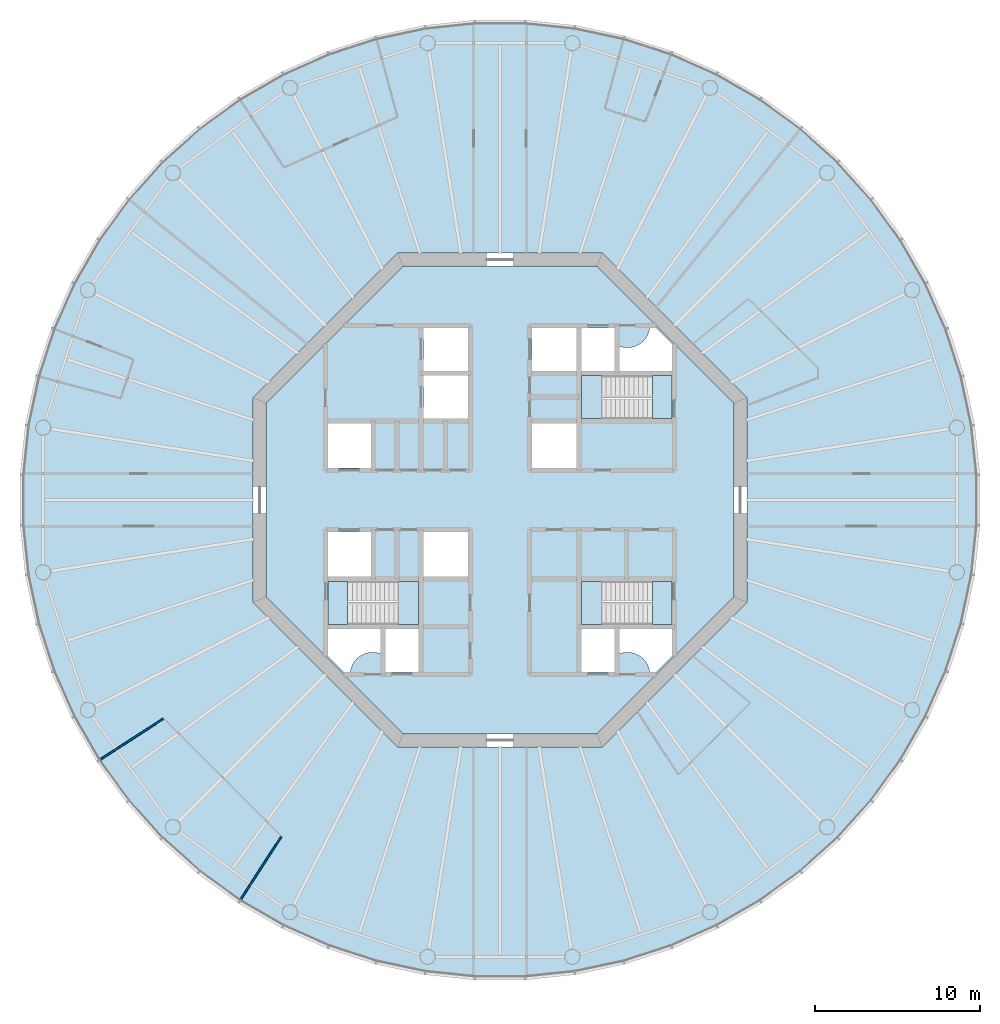
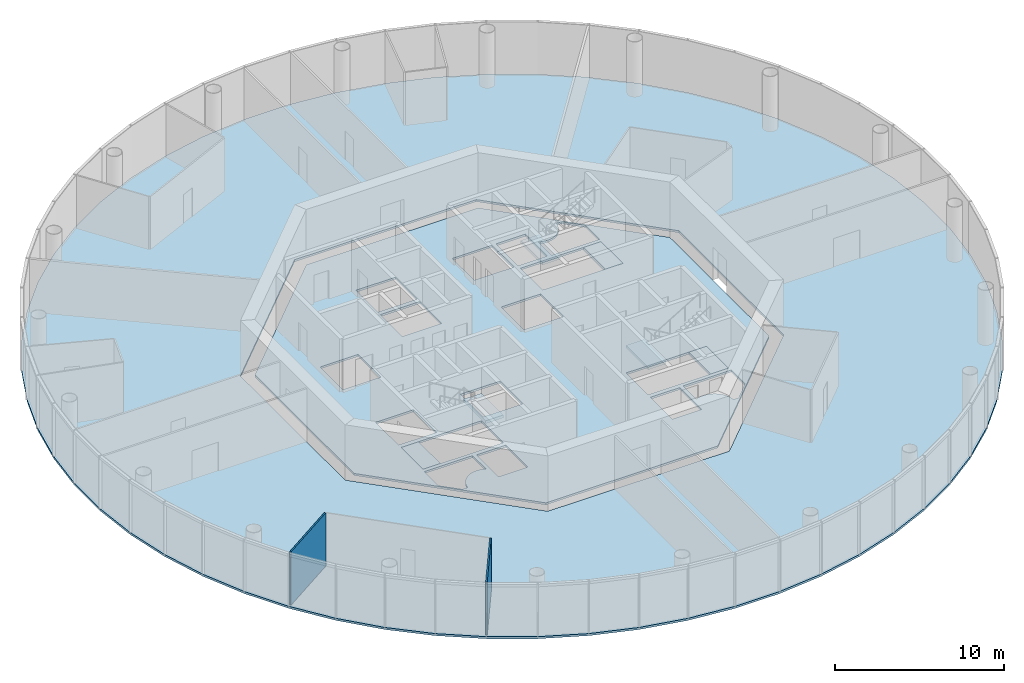
# One storey, part 2 of 13: 8 slabs, 2 walls, 3 elements without a shape of their own.
"""IFC4 building model written with IfcOpenShell, lengths in metres."""

import ifcopenshell
import ifcopenshell.guid

model = None  # the IFC model being written
_history = None  # IfcOwnerHistory: only IFC2X3 demands one
_inside = {}  # id of a spatial element -> (the spatial element, [elements in it])
_under = {}  # id of a project, library or spatial element -> (it, [spatial elements below it])
_declared = {}  # id of a project -> (the project, [libraries it declares])
_typed = {}  # id of a type object -> (the type object, [elements of that type])
_made_of = {}  # id of a material, layer set ... -> (it, [elements and type objects made of it])


def new_model(schema):
    """Start an empty IFC model of exactly this schema.

    Asked for "IFC4X3", IfcOpenShell would pick the latest addendum, in which some entities
    have other attributes; the version numbers below select the first issue.
    IFC2X3 requires an IfcOwnerHistory on every rooted entity: one is made here for all.
    """
    global model, _history
    if schema == "IFC4X3":
        model = ifcopenshell.file(schema_version=(4, 3, 0, 0))
    else:
        model = ifcopenshell.file(schema=schema)
    _inside.clear()
    _under.clear()
    _declared.clear()
    _typed.clear()
    _made_of.clear()
    _history = None
    if model.schema == "IFC2X3":
        org = make("IfcOrganization", Name="unknown")
        user = make(
            "IfcPersonAndOrganization",
            ThePerson=make("IfcPerson", FamilyName="unknown"),
            TheOrganization=org,
        )
        app = make(
            "IfcApplication",
            ApplicationDeveloper=org,
            Version="unknown",
            ApplicationFullName="unknown",
            ApplicationIdentifier="unknown",
        )
        _history = make(
            "IfcOwnerHistory",
            OwningUser=user,
            OwningApplication=app,
            ChangeAction="ADDED",
            CreationDate=0,
        )
    return model


def make(cls, **values):
    """One entity of the class cls with the attributes given. An attribute that is None is left unset."""
    return model.create_entity(
        cls, **{name: value for name, value in values.items() if value is not None}
    )


def rooted(cls, **values):
    """An entity with a GlobalId (a new one), such as an element, a storey or a relation."""
    return make(cls, GlobalId=ifcopenshell.guid.new(), OwnerHistory=_history, **values)


def si_unit(unit_type, name, prefix=None):
    """IfcSIUnit, for example si_unit("LENGTHUNIT", "METRE", prefix="MILLI")."""
    return make("IfcSIUnit", UnitType=unit_type, Prefix=prefix, Name=name)


def assignment(units):
    """IfcUnitAssignment: the units of a project."""
    return None if units is None else make("IfcUnitAssignment", Units=units)


def point(xyz):
    """IfcCartesianPoint."""
    return None if xyz is None else make("IfcCartesianPoint", Coordinates=xyz)


def direction(xyz):
    """IfcDirection."""
    return None if xyz is None else make("IfcDirection", DirectionRatios=xyz)


def frame(location, z_axis=None, x_axis=None):
    """IfcAxis2Placement3D, a coordinate frame: its origin and axes. An axis left out is left unset."""
    return make(
        "IfcAxis2Placement3D",
        Location=point(location),
        Axis=direction(z_axis),
        RefDirection=direction(x_axis),
    )


def frame_2d(location, x_axis=None):
    """IfcAxis2Placement2D, a coordinate frame in the plane: its origin and x axis."""
    return make(
        "IfcAxis2Placement2D", Location=point(location), RefDirection=direction(x_axis)
    )


def origin():
    """The frame at (0, 0, 0) with its axes left unset."""
    return frame((0.0, 0.0, 0.0))


def place(relative_to, where):
    """IfcLocalPlacement: puts the frame where relative to a parent placement (None: the world)."""
    return make(
        "IfcLocalPlacement", PlacementRelTo=relative_to, RelativePlacement=where
    )


def context(
    kind, dimensions, precision=None, world=None, true_north=None, identifier=None
):
    """IfcGeometricRepresentationContext, for example the 3D "Model" context."""
    return make(
        "IfcGeometricRepresentationContext",
        ContextIdentifier=identifier,
        ContextType=kind,
        CoordinateSpaceDimension=dimensions,
        Precision=precision,
        WorldCoordinateSystem=world,
        TrueNorth=true_north,
    )


def subcontext(parent, identifier, kind, view, scale=None):
    """IfcGeometricRepresentationSubContext, for example "Body" below "Model"."""
    return make(
        "IfcGeometricRepresentationSubContext",
        ContextIdentifier=identifier,
        ContextType=kind,
        ParentContext=parent,
        TargetScale=scale,
        TargetView=view,
    )


def project(units=None, contexts=None):
    """IfcProject with its units and contexts."""
    return rooted(
        "IfcProject",
        Name="project",
        RepresentationContexts=contexts,
        UnitsInContext=assignment(units),
    )


def spatial(cls, under=None, at=None, **own):
    """A site, building, storey or space (cls), placed at a placement, below another one or the project."""
    s = rooted(cls, ObjectPlacement=at, **own)
    if under is not None:
        _under.setdefault(under.id(), (under, []))[1].append(s)
    return s


def polyline(points):
    """IfcPolyline through the points."""
    return make("IfcPolyline", Points=[point(p) for p in points])


def profile(cls, at=None, kind="AREA", **sizes):
    """A parametric profile (cls). Its sizes go by their IFC names, for example OverallWidth=200.0."""
    return make(cls, ProfileType=kind, Position=at, **sizes)


def rectangle(**sizes):
    """IfcRectangleProfileDef."""
    return profile("IfcRectangleProfileDef", **sizes)


def outline(outer, holes=None, kind="AREA"):
    """IfcArbitraryClosedProfileDef: a profile drawn as a closed curve; with holes, ...WithVoids."""
    if holes is None:
        return make("IfcArbitraryClosedProfileDef", ProfileType=kind, OuterCurve=outer)
    return make(
        "IfcArbitraryProfileDefWithVoids",
        ProfileType=kind,
        OuterCurve=outer,
        InnerCurves=holes,
    )


def extrude(swept, where, along, depth):
    """IfcExtrudedAreaSolid: the profile swept, set in the frame where, extruded along a direction by depth."""
    return make(
        "IfcExtrudedAreaSolid",
        SweptArea=swept,
        Position=where,
        ExtrudedDirection=direction(along),
        Depth=depth,
    )


def shape(context_of_items, identifier, shape_type, items):
    """IfcShapeRepresentation: the items that make up one representation, for example the "Body"."""
    return make(
        "IfcShapeRepresentation",
        ContextOfItems=context_of_items,
        RepresentationIdentifier=identifier,
        RepresentationType=shape_type,
        Items=items,
    )


def material(Name=None, Category=None):
    """IfcMaterial."""
    return make("IfcMaterial", Name=Name, Category=Category)


def layer(
    of_material, thickness, ventilated=None, Name=None, Category=None, Priority=None
):
    """IfcMaterialLayer: one layer of a wall or slab, of a material (None: an air gap)."""
    return make(
        "IfcMaterialLayer",
        Material=of_material,
        LayerThickness=thickness,
        IsVentilated=ventilated,
        Name=Name,
        Category=Category,
        Priority=Priority,
    )


def layer_set(layers, Name=None):
    """IfcMaterialLayerSet."""
    return make("IfcMaterialLayerSet", MaterialLayers=layers, LayerSetName=Name)


def made_of(thing, what):
    """Note that an element or type object is made of a material, layer set ...; save() writes the relation."""
    if what is not None:
        _made_of.setdefault(what.id(), (what, []))[1].append(thing)
    return thing


def type_object(cls, material=None, **own):
    """A type object (cls), such as IfcWallType, which elements share."""
    return made_of(rooted(cls, **own), material)


def element(
    cls,
    number,
    at=None,
    inside=None,
    cuts=None,
    type_object=None,
    material=None,
    context=None,
    identifier="Body",
    shape_type=None,
    held_by="IfcProductDefinitionShape",
    body=None,
    shapes=None,
    **own,
):
    """One element of the class cls, such as IfcWall. Its Tag is "e" and its number.

    at: its placement. inside: the storey or other place that contains it. cuts: it is an
    opening in that element (IfcRelVoidsElement). A single representation is given by context,
    identifier, shape_type and body (its items); several are given by shapes. held_by: the class
    of the entity that holds the representations. save() writes the other relations.
    """
    e = rooted(cls, Tag="e%d" % number, ObjectPlacement=at, **own)
    if body is not None:
        shapes = [shape(context, identifier, shape_type, body)]
    if shapes is not None:
        e.Representation = make(held_by, Representations=shapes)
    if inside is not None:
        _inside.setdefault(inside.id(), (inside, []))[1].append(e)
    if cuts is not None:
        rooted(
            "IfcRelVoidsElement", RelatingBuildingElement=cuts, RelatedOpeningElement=e
        )
    if type_object is not None:
        _typed.setdefault(type_object.id(), (type_object, []))[1].append(e)
    return made_of(e, material)


def aggregate(whole, parts):
    """IfcRelAggregates: a whole, such as a stair, and the parts it consists of."""
    return rooted("IfcRelAggregates", RelatingObject=whole, RelatedObjects=parts)


def save(model, path):
    """Write the relations noted so far, then the file.

    IfcRelAggregates (storeys below a building ...), IfcRelContainedInSpatialStructure (elements
    in a storey), IfcRelDefinesByType, IfcRelAssociatesMaterial and IfcRelDeclares: one each for
    every whole, place, type object, material and project.
    """
    for whole, parts in _under.values():
        aggregate(whole, parts)
    for where, things in _inside.values():
        rooted(
            "IfcRelContainedInSpatialStructure",
            RelatedElements=things,
            RelatingStructure=where,
        )
    for kind, things in _typed.values():
        rooted("IfcRelDefinesByType", RelatedObjects=things, RelatingType=kind)
    for what, things in _made_of.values():
        rooted("IfcRelAssociatesMaterial", RelatedObjects=things, RelatingMaterial=what)
    for by, libraries in _declared.values():
        rooted("IfcRelDeclares", RelatingContext=by, RelatedDefinitions=libraries)
    model.write(path)


model = new_model("IFC4")

# Units and contexts
model_context = context("Model", 3, precision=1e-05, world=origin(), true_north=direction((0.0, 1.0)))
body_context = subcontext(model_context, "Body", "Model", "MODEL_VIEW")
ifc_project = project(units=[si_unit("LENGTHUNIT", "METRE"), si_unit("AREAUNIT", "SQUARE_METRE"), si_unit("VOLUMEUNIT", "CUBIC_METRE"), si_unit("PLANEANGLEUNIT", "RADIAN"), si_unit("MASSUNIT", "GRAM", prefix="KILO")], contexts=[model_context])

# Site, building, storey
site_placement = place(None, origin())
site = spatial("IfcSite", under=ifc_project, at=site_placement, CompositionType="ELEMENT")
building_placement = place(site_placement, origin())
building = spatial("IfcBuilding", under=site, at=building_placement, Name="Entoto Ring Tower", CompositionType="ELEMENT")
storey_placement = place(building_placement, frame((0.0, 0.0, 278.0)))
storey = spatial("IfcBuildingStorey", under=building, at=storey_placement, Name="L63", CompositionType="ELEMENT", Elevation=278.0)

# Slabs
ifc_material_1 = material(Name="Concrete C30/37", Category="concrete")
ifc_layer_1 = layer(ifc_material_1, 0.14990234375)
ifc_layer_set_1 = layer_set([ifc_layer_1], Name="Concrete C30/37")
slab_type_1 = type_object("IfcSlabType", Name="Composite floor slab 150 mm", PredefinedType="FLOOR", material=ifc_layer_set_1)
slab_1_placement = place(storey_placement, frame((0.0, 0.0, -0.14990234375)))
element("IfcSlab", 1, at=slab_1_placement, inside=storey, type_object=slab_type_1, Name="Floor slab L63", PredefinedType="FLOOR", context=body_context, shape_type="SweptSolid", body=[
    extrude(outline(polyline([(118.74169921875, 84.55224609375), (118.1083984375, 87.53173828125), (117.167236328125, 90.428466796875), (115.92822265625, 93.211181640625), (114.4052734375, 95.848876953125), (112.614990234375, 98.313232421875), (110.576904296875, 100.576904296875), (108.313232421875, 102.614990234375), (105.848876953125, 104.4052734375), (103.211181640625, 105.92822265625), (100.428466796875, 107.167236328125), (97.53173828125, 108.1083984375), (94.55224609375, 108.74169921875), (91.52294921875, 109.06005859375), (88.47705078125, 109.06005859375), (85.44775390625, 108.74169921875), (82.46826171875, 108.1083984375), (79.571533203125, 107.167236328125), (76.788818359375, 105.92822265625), (74.151123046875, 104.4052734375), (71.686767578125, 102.614990234375), (69.423095703125, 100.576904296875), (67.385009765625, 98.313232421875), (65.5947265625, 95.848876953125), (64.07177734375, 93.211181640625), (62.832763671875, 90.428466796875), (61.8916015625, 87.53173828125), (61.25830078125, 84.55224609375), (60.93994140625, 81.52294921875), (60.93994140625, 78.47705078125), (61.25830078125, 75.44775390625), (61.8916015625, 72.46826171875), (62.832763671875, 69.571533203125), (64.07177734375, 66.788818359375), (65.5947265625, 64.151123046875), (67.385009765625, 61.686767578125), (69.423095703125, 59.423095703125), (71.686767578125, 57.385009765625), (74.151123046875, 55.5947265625), (76.788818359375, 54.07177734375), (79.571533203125, 52.832763671875), (82.46826171875, 51.8916015625), (85.44775390625, 51.25830078125), (88.47705078125, 50.93994140625), (91.52294921875, 50.93994140625), (94.55224609375, 51.25830078125), (97.53173828125, 51.8916015625), (100.428466796875, 52.832763671875), (103.211181640625, 54.07177734375), (105.848876953125, 55.5947265625), (108.313232421875, 57.385009765625), (110.576904296875, 59.423095703125), (112.614990234375, 61.686767578125), (114.4052734375, 64.151123046875), (115.92822265625, 66.788818359375), (117.167236328125, 69.571533203125), (118.1083984375, 72.46826171875), (118.74169921875, 75.44775390625), (119.06005859375, 78.47705078125), (119.06005859375, 81.52294921875), (118.74169921875, 84.55224609375)]), holes=[polyline([(105.0, 73.786865234375), (105.0, 86.213134765625), (96.213134765625, 95.0), (83.786865234375, 95.0), (75.0, 86.213134765625), (75.0, 73.786865234375), (83.786865234375, 65.0), (96.213134765625, 65.0), (105.0, 73.786865234375)])]), origin(), (0.0, 0.0, 1.0), 0.14990234375),
])
ifc_material_2 = material(Name="Concrete C40/50", Category="concrete")
ifc_layer_2 = layer(ifc_material_2, 0.14990234375)
ifc_layer_set_2 = layer_set([ifc_layer_2], Name="Concrete C40/50")
slab_type_2 = type_object("IfcSlabType", Name="Core floor slab 150 mm reinforced concrete C40/50", PredefinedType="FLOOR", material=ifc_layer_set_2)
slab_2_placement = place(storey_placement, frame((0.0, 0.0, -0.14990234375)))
element("IfcSlab", 2, at=slab_2_placement, inside=storey, type_object=slab_type_2, Name="Core floor L63", PredefinedType="FLOOR", context=body_context, shape_type="SweptSolid", body=[
    extrude(outline(polyline([(104.199951171875, 74.1181640625), (104.199951171875, 85.8818359375), (95.8818359375, 94.199951171875), (84.1181640625, 94.199951171875), (75.800048828125, 85.8818359375), (75.800048828125, 74.1181640625), (84.1181640625, 65.800048828125), (95.8818359375, 65.800048828125), (104.199951171875, 74.1181640625)]), holes=[polyline([(100.449951171875, 84.949951171875), (100.449951171875, 87.550048828125), (94.949951171875, 87.550048828125), (94.949951171875, 84.949951171875), (100.449951171875, 84.949951171875)]), polyline([(85.050048828125, 72.449951171875), (85.050048828125, 75.050048828125), (79.550048828125, 75.050048828125), (79.550048828125, 72.449951171875), (85.050048828125, 72.449951171875)]), polyline([(100.449951171875, 72.449951171875), (100.449951171875, 75.050048828125), (94.949951171875, 75.050048828125), (94.949951171875, 72.449951171875), (100.449951171875, 72.449951171875)]), polyline([(94.949951171875, 90.449951171875), (94.949951171875, 87.85009765625), (96.949951171875, 87.85009765625), (96.949951171875, 90.449951171875), (94.949951171875, 90.449951171875)]), polyline([(94.949951171875, 72.14990234375), (94.949951171875, 69.550048828125), (96.949951171875, 69.550048828125), (96.949951171875, 72.14990234375), (94.949951171875, 72.14990234375)]), polyline([(83.050048828125, 72.14990234375), (83.050048828125, 69.550048828125), (85.050048828125, 69.550048828125), (85.050048828125, 72.14990234375), (83.050048828125, 72.14990234375)]), polyline([(79.550048828125, 81.949951171875), (82.14990234375, 81.949951171875), (82.14990234375, 84.64990234375), (79.550048828125, 84.64990234375), (79.550048828125, 81.949951171875)]), polyline([(79.550048828125, 75.35009765625), (82.14990234375, 75.35009765625), (82.14990234375, 78.050048828125), (79.550048828125, 78.050048828125), (79.550048828125, 75.35009765625)]), polyline([(91.949951171875, 87.85009765625), (94.64990234375, 87.85009765625), (94.64990234375, 90.449951171875), (91.949951171875, 90.449951171875), (91.949951171875, 87.85009765625)]), polyline([(91.949951171875, 81.949951171875), (94.64990234375, 81.949951171875), (94.64990234375, 84.64990234375), (91.949951171875, 84.64990234375), (91.949951171875, 81.949951171875)]), polyline([(85.35009765625, 75.35009765625), (88.050048828125, 75.35009765625), (88.050048828125, 78.050048828125), (85.35009765625, 78.050048828125), (85.35009765625, 75.35009765625)]), polyline([(85.35009765625, 84.949951171875), (88.050048828125, 84.949951171875), (88.050048828125, 87.550048828125), (85.35009765625, 87.550048828125), (85.35009765625, 84.949951171875)]), polyline([(85.35009765625, 87.85009765625), (88.050048828125, 87.85009765625), (88.050048828125, 90.449951171875), (85.35009765625, 90.449951171875), (85.35009765625, 87.85009765625)]), polyline([(97.199951171875, 89.368408203125), (97.199951171875, 87.800048828125), (100.5, 87.800048828125), (100.5, 89.4404296875), (99.4404296875, 90.5), (99.09521484375, 90.5), (99.093505859375, 90.4677734375), (99.07421875, 90.336669921875), (99.0419921875, 90.2080078125), (98.997314453125, 90.08349609375), (98.940673828125, 89.963623046875), (98.87255859375, 89.85009765625), (98.793701171875, 89.74365234375), (98.70458984375, 89.6455078125), (98.6064453125, 89.556396484375), (98.5, 89.4775390625), (98.386474609375, 89.409423828125), (98.2666015625, 89.352783203125), (98.141845703125, 89.30810546875), (98.013427734375, 89.27587890625), (97.88232421875, 89.256591796875), (97.75, 89.25), (97.61767578125, 89.256591796875), (97.486572265625, 89.27587890625), (97.358154296875, 89.30810546875), (97.2333984375, 89.352783203125), (97.199951171875, 89.368408203125)]), polyline([(80.5595703125, 69.5), (80.90478515625, 69.5), (80.906494140625, 69.5322265625), (80.92578125, 69.663330078125), (80.9580078125, 69.7919921875), (81.002685546875, 69.91650390625), (81.059326171875, 70.036376953125), (81.12744140625, 70.14990234375), (81.206298828125, 70.25634765625), (81.29541015625, 70.3544921875), (81.3935546875, 70.443603515625), (81.5, 70.5224609375), (81.613525390625, 70.590576171875), (81.7333984375, 70.647216796875), (81.858154296875, 70.69189453125), (81.986572265625, 70.72412109375), (82.11767578125, 70.743408203125), (82.25, 70.75), (82.38232421875, 70.743408203125), (82.513427734375, 70.72412109375), (82.641845703125, 70.69189453125), (82.7666015625, 70.647216796875), (82.800048828125, 70.631591796875), (82.800048828125, 72.199951171875), (79.5, 72.199951171875), (79.5, 70.5595703125), (80.5595703125, 69.5)]), polyline([(99.09521484375, 69.5), (99.4404296875, 69.5), (100.5, 70.5595703125), (100.5, 72.199951171875), (97.199951171875, 72.199951171875), (97.199951171875, 70.631591796875), (97.2333984375, 70.647216796875), (97.358154296875, 70.69189453125), (97.486572265625, 70.72412109375), (97.61767578125, 70.743408203125), (97.75, 70.75), (97.88232421875, 70.743408203125), (98.013427734375, 70.72412109375), (98.141845703125, 70.69189453125), (98.2666015625, 70.647216796875), (98.386474609375, 70.590576171875), (98.5, 70.5224609375), (98.6064453125, 70.443603515625), (98.70458984375, 70.3544921875), (98.793701171875, 70.25634765625), (98.87255859375, 70.14990234375), (98.940673828125, 70.036376953125), (98.997314453125, 69.91650390625), (99.0419921875, 69.7919921875), (99.07421875, 69.663330078125), (99.093505859375, 69.5322265625), (99.09521484375, 69.5)])]), origin(), (0.0, 0.0, 1.0), 0.14990234375),
])

# Stair, slabs
ifc_material_3 = material(Name="Concrete C40/50", Category="concrete")
stair_type = type_object("IfcStairType", Name="Exit stair 1200 mm dog-leg reinforced concrete", PredefinedType="HALF_TURN_STAIR", material=ifc_material_3)
stair_1_placement = place(storey_placement, origin())
stair_1 = element("IfcStair", 3, at=stair_1_placement, inside=storey, type_object=stair_type, Name="Exit stair 1", PredefinedType="HALF_TURN_STAIR")
ifc_material_4 = material(Name="Concrete C40/50", Category="concrete")
ifc_layer_3 = layer(ifc_material_4, 0.199951171875)
ifc_layer_set_3 = layer_set([ifc_layer_3], Name="Concrete C40/50")
slab_type_3 = type_object("IfcSlabType", Name="Stair landing 200 mm reinforced concrete", PredefinedType="LANDING", material=ifc_layer_set_3)
slab_3_placement = place(storey_placement, frame((0.0, 0.0, -0.199951171875)))
slab_3 = element("IfcSlab", 4, at=slab_3_placement, type_object=slab_type_3, Name="ST1 landing 1", PredefinedType="LANDING", context=body_context, shape_type="SweptSolid", body=[
    extrude(outline(polyline([(100.449951171875, 84.949951171875), (100.449951171875, 87.550048828125), (99.25, 87.550048828125), (99.25, 84.949951171875), (100.449951171875, 84.949951171875)])), origin(), (0.0, 0.0, 1.0), 0.199951171875),
])
slab_4_placement = place(storey_placement, frame((0.0, 0.0, 1.800048828125)))
slab_4 = element("IfcSlab", 5, at=slab_4_placement, type_object=slab_type_3, Name="ST1 landing 2", PredefinedType="LANDING", context=body_context, shape_type="SweptSolid", body=[
    extrude(outline(polyline([(94.949951171875, 84.949951171875), (96.169921875, 84.949951171875), (96.169921875, 87.550048828125), (94.949951171875, 87.550048828125), (94.949951171875, 84.949951171875)])), origin(), (0.0, 0.0, 1.0), 0.199951171875),
])
aggregate(stair_1, [slab_3, slab_4])

stair_2_placement = place(storey_placement, origin())
stair_2 = element("IfcStair", 6, at=stair_2_placement, inside=storey, type_object=stair_type, Name="Exit stair 2", PredefinedType="HALF_TURN_STAIR")
slab_5_placement = place(storey_placement, frame((0.0, 0.0, -0.199951171875)))
slab_5 = element("IfcSlab", 7, at=slab_5_placement, type_object=slab_type_3, Name="ST2 landing 1", PredefinedType="LANDING", context=body_context, shape_type="SweptSolid", body=[
    extrude(outline(polyline([(80.75, 72.449951171875), (80.75, 75.050048828125), (79.550048828125, 75.050048828125), (79.550048828125, 72.449951171875), (80.75, 72.449951171875)])), origin(), (0.0, 0.0, 1.0), 0.199951171875),
])
slab_6_placement = place(storey_placement, frame((0.0, 0.0, 1.800048828125)))
slab_6 = element("IfcSlab", 8, at=slab_6_placement, type_object=slab_type_3, Name="ST2 landing 2", PredefinedType="LANDING", context=body_context, shape_type="SweptSolid", body=[
    extrude(outline(polyline([(83.830078125, 72.449951171875), (85.050048828125, 72.449951171875), (85.050048828125, 75.050048828125), (83.830078125, 75.050048828125), (83.830078125, 72.449951171875)])), origin(), (0.0, 0.0, 1.0), 0.199951171875),
])
aggregate(stair_2, [slab_5, slab_6])

stair_3_placement = place(storey_placement, origin())
stair_3 = element("IfcStair", 9, at=stair_3_placement, inside=storey, type_object=stair_type, Name="Exit stair 3", PredefinedType="HALF_TURN_STAIR")
slab_7_placement = place(storey_placement, frame((0.0, 0.0, -0.199951171875)))
slab_7 = element("IfcSlab", 10, at=slab_7_placement, type_object=slab_type_3, Name="ST3 landing 1", PredefinedType="LANDING", context=body_context, shape_type="SweptSolid", body=[
    extrude(outline(polyline([(100.449951171875, 72.449951171875), (100.449951171875, 75.050048828125), (99.25, 75.050048828125), (99.25, 72.449951171875), (100.449951171875, 72.449951171875)])), origin(), (0.0, 0.0, 1.0), 0.199951171875),
])
slab_8_placement = place(storey_placement, frame((0.0, 0.0, 1.800048828125)))
slab_8 = element("IfcSlab", 11, at=slab_8_placement, type_object=slab_type_3, Name="ST3 landing 2", PredefinedType="LANDING", context=body_context, shape_type="SweptSolid", body=[
    extrude(outline(polyline([(94.949951171875, 72.449951171875), (96.169921875, 72.449951171875), (96.169921875, 75.050048828125), (94.949951171875, 75.050048828125), (94.949951171875, 72.449951171875)])), origin(), (0.0, 0.0, 1.0), 0.199951171875),
])
aggregate(stair_3, [slab_7, slab_8])

# Walls
ifc_material_5 = material(Name="Plasterboard on steel studs", Category="steel")
ifc_layer_4 = layer(ifc_material_5, 0.10009765625)
ifc_layer_set_4 = layer_set([ifc_layer_4], Name="Plasterboard on steel studs")
wall_type = type_object("IfcWallType", Name="Partition 100 mm plasterboard on steel studs", PredefinedType="PARTITIONING", material=ifc_layer_set_4)
for number, where, z_axis, x_axis, name in (
    (12, (65.72900390625, 64.238037109375, 0.0), (0.0, 0.0, 1.0), (0.838646674443, 0.544675826016, 0.0), "partition-L63-020"),
    (13, (74.238037109375, 55.72900390625, 0.0), (0.0, 0.0, 1.0), (0.544675826016, 0.838646674443, 0.0), "partition-L63-021"),
):
    element("IfcWall", number, at=place(storey_placement, frame(where, z_axis=z_axis, x_axis=x_axis)), inside=storey, type_object=wall_type, Name=name, PredefinedType="PARTITIONING", context=body_context, shape_type="SweptSolid", body=[
        extrude(rectangle(XDim=4.53125, YDim=0.10009765625, at=frame_2d((2.265625, 0.0))), origin(), (0.0, 0.0, 1.0), 3.85009765625),
    ])

save(model, "model.ifc")
